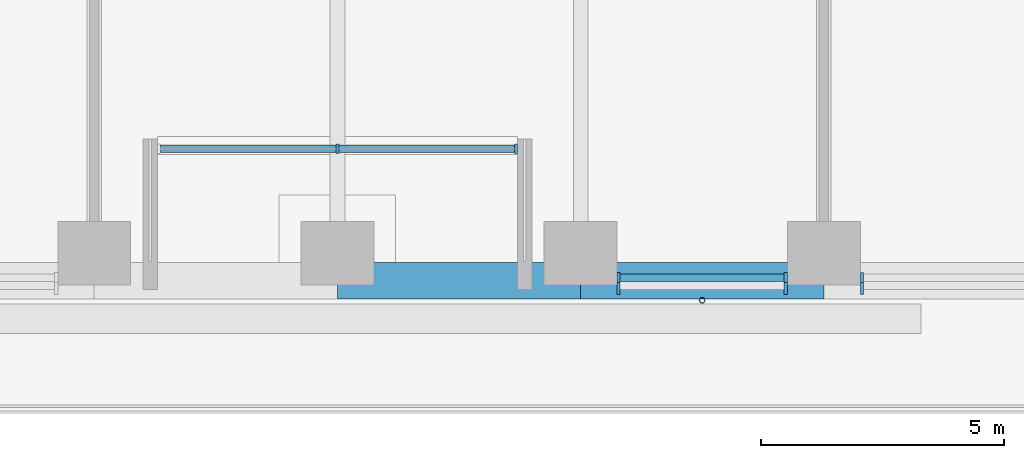
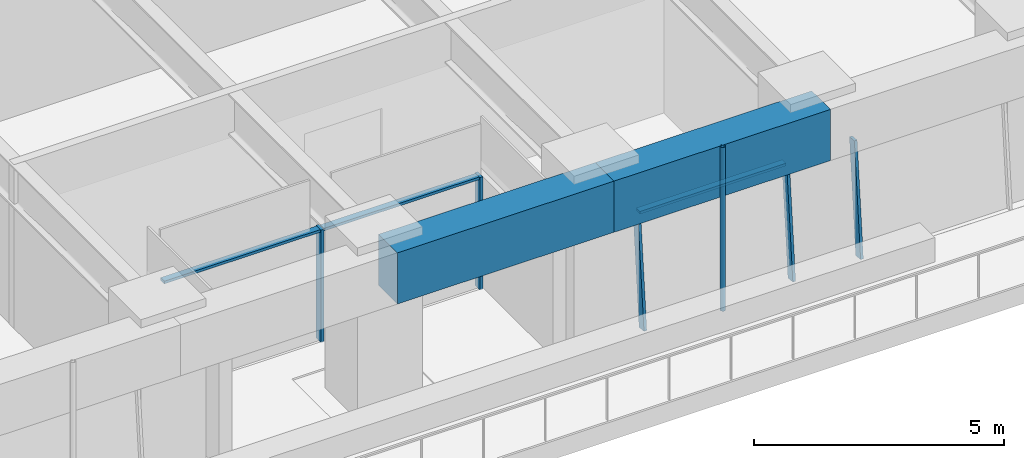
# One storey, part 4 of 24: 8 members, 2 beams, 3 elements without a shape of their own.
"""IFC4 building model written with IfcOpenShell, lengths in metres."""

import ifcopenshell
import ifcopenshell.guid

model = None  # the IFC model being written
_history = None  # IfcOwnerHistory: only IFC2X3 demands one
_inside = {}  # id of a spatial element -> (the spatial element, [elements in it])
_under = {}  # id of a project, library or spatial element -> (it, [spatial elements below it])
_declared = {}  # id of a project -> (the project, [libraries it declares])
_typed = {}  # id of a type object -> (the type object, [elements of that type])
_made_of = {}  # id of a material, layer set ... -> (it, [elements and type objects made of it])


def new_model(schema):
    """Start an empty IFC model of exactly this schema.

    Asked for "IFC4X3", IfcOpenShell would pick the latest addendum, in which some entities
    have other attributes; the version numbers below select the first issue.
    IFC2X3 requires an IfcOwnerHistory on every rooted entity: one is made here for all.
    """
    global model, _history
    if schema == "IFC4X3":
        model = ifcopenshell.file(schema_version=(4, 3, 0, 0))
    else:
        model = ifcopenshell.file(schema=schema)
    _inside.clear()
    _under.clear()
    _declared.clear()
    _typed.clear()
    _made_of.clear()
    _history = None
    if model.schema == "IFC2X3":
        org = make("IfcOrganization", Name="unknown")
        user = make(
            "IfcPersonAndOrganization",
            ThePerson=make("IfcPerson", FamilyName="unknown"),
            TheOrganization=org,
        )
        app = make(
            "IfcApplication",
            ApplicationDeveloper=org,
            Version="unknown",
            ApplicationFullName="unknown",
            ApplicationIdentifier="unknown",
        )
        _history = make(
            "IfcOwnerHistory",
            OwningUser=user,
            OwningApplication=app,
            ChangeAction="ADDED",
            CreationDate=0,
        )
    return model


def make(cls, **values):
    """One entity of the class cls with the attributes given. An attribute that is None is left unset."""
    return model.create_entity(
        cls, **{name: value for name, value in values.items() if value is not None}
    )


def rooted(cls, **values):
    """An entity with a GlobalId (a new one), such as an element, a storey or a relation."""
    return make(cls, GlobalId=ifcopenshell.guid.new(), OwnerHistory=_history, **values)


def si_unit(unit_type, name, prefix=None):
    """IfcSIUnit, for example si_unit("LENGTHUNIT", "METRE", prefix="MILLI")."""
    return make("IfcSIUnit", UnitType=unit_type, Prefix=prefix, Name=name)


def assignment(units):
    """IfcUnitAssignment: the units of a project."""
    return None if units is None else make("IfcUnitAssignment", Units=units)


def point(xyz):
    """IfcCartesianPoint."""
    return None if xyz is None else make("IfcCartesianPoint", Coordinates=xyz)


def direction(xyz):
    """IfcDirection."""
    return None if xyz is None else make("IfcDirection", DirectionRatios=xyz)


def frame(location, z_axis=None, x_axis=None):
    """IfcAxis2Placement3D, a coordinate frame: its origin and axes. An axis left out is left unset."""
    return make(
        "IfcAxis2Placement3D",
        Location=point(location),
        Axis=direction(z_axis),
        RefDirection=direction(x_axis),
    )


def frame_2d(location, x_axis=None):
    """IfcAxis2Placement2D, a coordinate frame in the plane: its origin and x axis."""
    return make(
        "IfcAxis2Placement2D", Location=point(location), RefDirection=direction(x_axis)
    )


def origin():
    """The frame at (0, 0, 0) with its axes left unset."""
    return frame((0.0, 0.0, 0.0))


def origin_2d():
    """The frame at (0, 0) in the plane with its x axis left unset."""
    return frame_2d((0.0, 0.0))


def place(relative_to, where):
    """IfcLocalPlacement: puts the frame where relative to a parent placement (None: the world)."""
    return make(
        "IfcLocalPlacement", PlacementRelTo=relative_to, RelativePlacement=where
    )


def context(
    kind, dimensions, precision=None, world=None, true_north=None, identifier=None
):
    """IfcGeometricRepresentationContext, for example the 3D "Model" context."""
    return make(
        "IfcGeometricRepresentationContext",
        ContextIdentifier=identifier,
        ContextType=kind,
        CoordinateSpaceDimension=dimensions,
        Precision=precision,
        WorldCoordinateSystem=world,
        TrueNorth=true_north,
    )


def subcontext(parent, identifier, kind, view, scale=None):
    """IfcGeometricRepresentationSubContext, for example "Body" below "Model"."""
    return make(
        "IfcGeometricRepresentationSubContext",
        ContextIdentifier=identifier,
        ContextType=kind,
        ParentContext=parent,
        TargetScale=scale,
        TargetView=view,
    )


def project(units=None, contexts=None):
    """IfcProject with its units and contexts."""
    return rooted(
        "IfcProject",
        Name="project",
        RepresentationContexts=contexts,
        UnitsInContext=assignment(units),
    )


def spatial(cls, under=None, at=None, **own):
    """A site, building, storey or space (cls), placed at a placement, below another one or the project."""
    s = rooted(cls, ObjectPlacement=at, **own)
    if under is not None:
        _under.setdefault(under.id(), (under, []))[1].append(s)
    return s


def profile(cls, at=None, kind="AREA", **sizes):
    """A parametric profile (cls). Its sizes go by their IFC names, for example OverallWidth=200.0."""
    return make(cls, ProfileType=kind, Position=at, **sizes)


def rectangle(**sizes):
    """IfcRectangleProfileDef."""
    return profile("IfcRectangleProfileDef", **sizes)


def hollow_circle(**sizes):
    """IfcCircleHollowProfileDef."""
    return profile("IfcCircleHollowProfileDef", **sizes)


def extrude(swept, where, along, depth):
    """IfcExtrudedAreaSolid: the profile swept, set in the frame where, extruded along a direction by depth."""
    return make(
        "IfcExtrudedAreaSolid",
        SweptArea=swept,
        Position=where,
        ExtrudedDirection=direction(along),
        Depth=depth,
    )


def shape(context_of_items, identifier, shape_type, items):
    """IfcShapeRepresentation: the items that make up one representation, for example the "Body"."""
    return make(
        "IfcShapeRepresentation",
        ContextOfItems=context_of_items,
        RepresentationIdentifier=identifier,
        RepresentationType=shape_type,
        Items=items,
    )


def material(Name=None, Category=None):
    """IfcMaterial."""
    return make("IfcMaterial", Name=Name, Category=Category)


def material_profile(
    of_material, cross_section, Name=None, Category=None, Priority=None
):
    """IfcMaterialProfile: a cross section and its material."""
    return make(
        "IfcMaterialProfile",
        Name=Name,
        Material=of_material,
        Profile=cross_section,
        Priority=Priority,
        Category=Category,
    )


def profile_set(profiles, Name=None, composite=None):
    """IfcMaterialProfileSet."""
    return make(
        "IfcMaterialProfileSet",
        Name=Name,
        MaterialProfiles=profiles,
        CompositeProfile=composite,
    )


def made_of(thing, what):
    """Note that an element or type object is made of a material, layer set ...; save() writes the relation."""
    if what is not None:
        _made_of.setdefault(what.id(), (what, []))[1].append(thing)
    return thing


def type_object(cls, material=None, **own):
    """A type object (cls), such as IfcWallType, which elements share."""
    return made_of(rooted(cls, **own), material)


def element(
    cls,
    number,
    at=None,
    inside=None,
    cuts=None,
    type_object=None,
    material=None,
    context=None,
    identifier="Body",
    shape_type=None,
    held_by="IfcProductDefinitionShape",
    body=None,
    shapes=None,
    **own,
):
    """One element of the class cls, such as IfcWall. Its Tag is "e" and its number.

    at: its placement. inside: the storey or other place that contains it. cuts: it is an
    opening in that element (IfcRelVoidsElement). A single representation is given by context,
    identifier, shape_type and body (its items); several are given by shapes. held_by: the class
    of the entity that holds the representations. save() writes the other relations.
    """
    e = rooted(cls, Tag="e%d" % number, ObjectPlacement=at, **own)
    if body is not None:
        shapes = [shape(context, identifier, shape_type, body)]
    if shapes is not None:
        e.Representation = make(held_by, Representations=shapes)
    if inside is not None:
        _inside.setdefault(inside.id(), (inside, []))[1].append(e)
    if cuts is not None:
        rooted(
            "IfcRelVoidsElement", RelatingBuildingElement=cuts, RelatedOpeningElement=e
        )
    if type_object is not None:
        _typed.setdefault(type_object.id(), (type_object, []))[1].append(e)
    return made_of(e, material)


def aggregate(whole, parts):
    """IfcRelAggregates: a whole, such as a stair, and the parts it consists of."""
    return rooted("IfcRelAggregates", RelatingObject=whole, RelatedObjects=parts)


def save(model, path):
    """Write the relations noted so far, then the file.

    IfcRelAggregates (storeys below a building ...), IfcRelContainedInSpatialStructure (elements
    in a storey), IfcRelDefinesByType, IfcRelAssociatesMaterial and IfcRelDeclares: one each for
    every whole, place, type object, material and project.
    """
    for whole, parts in _under.values():
        aggregate(whole, parts)
    for where, things in _inside.values():
        rooted(
            "IfcRelContainedInSpatialStructure",
            RelatedElements=things,
            RelatingStructure=where,
        )
    for kind, things in _typed.values():
        rooted("IfcRelDefinesByType", RelatedObjects=things, RelatingType=kind)
    for what, things in _made_of.values():
        rooted("IfcRelAssociatesMaterial", RelatedObjects=things, RelatingMaterial=what)
    for by, libraries in _declared.values():
        rooted("IfcRelDeclares", RelatingContext=by, RelatedDefinitions=libraries)
    model.write(path)


model = new_model("IFC4")

# Units and contexts
model_context = context("Model", 3, precision=1e-05, world=origin(), true_north=direction((0.0, 1.0)))
body_context = subcontext(model_context, "Body", "Model", "MODEL_VIEW")
ifc_project = project(units=[si_unit("LENGTHUNIT", "METRE"), si_unit("AREAUNIT", "SQUARE_METRE"), si_unit("VOLUMEUNIT", "CUBIC_METRE"), si_unit("PLANEANGLEUNIT", "RADIAN"), si_unit("MASSUNIT", "GRAM", prefix="KILO")], contexts=[model_context])

# Site, building, storey
site_placement = place(None, origin())
site = spatial("IfcSite", under=ifc_project, at=site_placement, CompositionType="ELEMENT")
building_placement = place(site_placement, origin())
building = spatial("IfcBuilding", under=site, at=building_placement, Name="Tarfa Lantern Tower", CompositionType="ELEMENT")
storey_placement = place(building_placement, frame((0.0, 0.0, 182.5)))
storey = spatial("IfcBuildingStorey", under=building, at=storey_placement, Name="L41", CompositionType="ELEMENT", Elevation=182.5)

# Curtain wall, members
ifc_material_1 = material(Name="Aluminium framed curtain wall", Category="aluminium")
curtain_wall_type_1 = type_object("IfcCurtainWallType", Name="CW2 CANTED GLAZING MID ZONE 2750", PredefinedType="USERDEFINED", material=ifc_material_1)
curtain_wall_1_placement = place(storey_placement, origin())
curtain_wall_1 = element("IfcCurtainWall", 1, at=curtain_wall_1_placement, inside=storey, type_object=curtain_wall_type_1, Name="CW2 SB L41", ObjectType="CURTAIN WALL", PredefinedType="USERDEFINED")
ifc_material_2 = material(Name="Aluminium mullion", Category="aluminium")
ifc_material_profile_1 = material_profile(ifc_material_2, rectangle(XDim=0.06494140625, YDim=0.199951171875, at=origin_2d()), Name="AL MULLION 65x200")
ifc_profile_set_1 = profile_set([ifc_material_profile_1], Name="Aluminium mullion")
member_type_1 = type_object("IfcMemberType", Name="CWM1 MULLION 65x200", PredefinedType="MULLION", material=ifc_profile_set_1)
member_1_placement = place(storey_placement, frame((5.7861328125, -31.39990234375, 0.0), z_axis=(0.0, 0.090535746043, 0.995893206468), x_axis=(-1.0, 0.0, 0.0)))
member_1 = element("IfcMember", 2, at=member_1_placement, type_object=member_type_1, Name="CW2 mullion 1", PredefinedType="MULLION", context=body_context, shape_type="SweptSolid", body=[
    extrude(rectangle(XDim=0.06494140625, YDim=0.199951171875, at=origin_2d()), origin(), (0.0, 0.0, 1.0), 2.76123046875),
])
member_2_placement = place(storey_placement, frame((9.224853515625, -31.39990234375, 0.0), z_axis=(0.0, 0.090535746043, 0.995893206468), x_axis=(-1.0, 0.0, 0.0)))
member_2 = element("IfcMember", 3, at=member_2_placement, type_object=member_type_1, Name="CW2 mullion 2", PredefinedType="MULLION", context=body_context, shape_type="SweptSolid", body=[
    extrude(rectangle(XDim=0.06494140625, YDim=0.199951171875, at=origin_2d()), origin(), (0.0, 0.0, 1.0), 2.76123046875),
])

# Curtain wall, member
curtain_wall_2_placement = place(storey_placement, origin())
curtain_wall_2 = element("IfcCurtainWall", 4, at=curtain_wall_2_placement, inside=storey, type_object=curtain_wall_type_1, Name="CW2 SB L41", ObjectType="CURTAIN WALL", PredefinedType="USERDEFINED")
member_3_placement = place(storey_placement, frame((10.789794921875, -31.39990234375, 0.0), z_axis=(0.0, 0.090535746043, 0.995893206468), x_axis=(-1.0, 0.0, 0.0)))
member_3 = element("IfcMember", 5, at=member_3_placement, type_object=member_type_1, Name="CW2 mullion 1", PredefinedType="MULLION", context=body_context, shape_type="SweptSolid", body=[
    extrude(rectangle(XDim=0.06494140625, YDim=0.199951171875, at=origin_2d()), origin(), (0.0, 0.0, 1.0), 2.76123046875),
])
aggregate(curtain_wall_2, [member_3])

# Curtain wall, members
curtain_wall_type_2 = type_object("IfcCurtainWallType", Name="CW10 LOGGIA GLAZING 2750", PredefinedType="USERDEFINED", material=ifc_material_1)
curtain_wall_3_placement = place(storey_placement, origin())
curtain_wall_3 = element("IfcCurtainWall", 6, at=curtain_wall_3_placement, inside=storey, type_object=curtain_wall_type_2, Name="CW10 SL L41", ObjectType="CURTAIN WALL", PredefinedType="USERDEFINED")
member_4_placement = place(storey_placement, frame((0.0, -28.5, 0.0), z_axis=(0.0, 0.0, 1.0), x_axis=(1.0, 0.0, 0.0)))
member_4 = element("IfcMember", 7, at=member_4_placement, type_object=member_type_1, Name="CW10 mullion 2", PredefinedType="MULLION", context=body_context, shape_type="SweptSolid", body=[
    extrude(rectangle(XDim=0.06494140625, YDim=0.199951171875, at=origin_2d()), origin(), (0.0, 0.0, 1.0), 2.75),
])
member_5_placement = place(storey_placement, frame((3.671142578125, -28.5, 0.0), z_axis=(0.0, 0.0, 1.0), x_axis=(1.0, 0.0, 0.0)))
member_5 = element("IfcMember", 8, at=member_5_placement, type_object=member_type_1, Name="CW10 mullion 3", PredefinedType="MULLION", context=body_context, shape_type="SweptSolid", body=[
    extrude(rectangle(XDim=0.06494140625, YDim=0.199951171875, at=origin_2d()), origin(), (0.0, 0.0, 1.0), 2.75),
])

# Member
ifc_material_3 = material(Name="Aluminium transom", Category="aluminium")
ifc_material_profile_2 = material_profile(ifc_material_3, rectangle(XDim=0.14990234375, YDim=0.06494140625, at=origin_2d()), Name="AL TRANSOM 150x65")
ifc_profile_set_2 = profile_set([ifc_material_profile_2], Name="Aluminium transom")
member_type_2 = type_object("IfcMemberType", Name="CWT1 TRANSOM 150x65", PredefinedType="USERDEFINED", material=ifc_profile_set_2)
member_6_placement = place(storey_placement, frame((5.818603515625, -31.153076171875, 2.717529296875), z_axis=(1.0, 0.0, 0.0), x_axis=(0.0, 1.0, 0.0)))
member_6 = element("IfcMember", 9, at=member_6_placement, type_object=member_type_2, Name="CW2 transom 1.2", ObjectType="TRANSOM", PredefinedType="USERDEFINED", context=body_context, shape_type="SweptSolid", body=[
    extrude(rectangle(XDim=0.14990234375, YDim=0.06494140625, at=origin_2d()), origin(), (0.0, 0.0, 1.0), 3.373779296875),
])

aggregate(curtain_wall_1, [member_1, member_2, member_6])

member_7_placement = place(storey_placement, frame((-3.638671875, -28.5, 2.717529296875), z_axis=(1.0, 0.0, 0.0), x_axis=(0.0, 1.0, 0.0)))
member_7 = element("IfcMember", 10, at=member_7_placement, type_object=member_type_2, Name="CW10 transom 1.2", ObjectType="TRANSOM", PredefinedType="USERDEFINED", context=body_context, shape_type="SweptSolid", body=[
    extrude(rectangle(XDim=0.14990234375, YDim=0.06494140625, at=origin_2d()), origin(), (0.0, 0.0, 1.0), 7.27734375),
])

aggregate(curtain_wall_3, [member_4, member_5, member_7])

# Beams
ifc_material_4 = material(Name="Concrete C80/95", Category="concrete")
ifc_material_profile_3 = material_profile(ifc_material_4, rectangle(XDim=0.75, YDim=1.25, at=origin_2d()), Name="RC 750x1250")
ifc_profile_set_3 = profile_set([ifc_material_profile_3], Name="Concrete C80/95")
beam_type = type_object("IfcBeamType", Name="EB2 RC 750x1250", PredefinedType="SPANDREL", material=ifc_profile_set_3)
for number, where, z_axis, x_axis, name in (
    (11, (0.0, -31.219970703125, 3.375), (1.0, 0.0, 0.0), (0.0, 1.0, 0.0), "Edge beam S3"),
    (12, (5.003662109375, -31.219970703125, 3.375), (1.0, 0.0, 0.0), (0.0, 1.0, 0.0), "Edge beam S4"),
):
    element("IfcBeam", number, at=place(storey_placement, frame(where, z_axis=z_axis, x_axis=x_axis)), inside=storey, type_object=beam_type, Name=name, PredefinedType="SPANDREL", context=body_context, shape_type="SweptSolid", body=[
        extrude(rectangle(XDim=0.75, YDim=1.25, at=origin_2d()), origin(), (0.0, 0.0, 1.0), 5.003662109375),
    ])

# Member
ifc_material_5 = material(Name="Steel S355", Category="steel")
ifc_material_profile_4 = material_profile(ifc_material_5, hollow_circle(Radius=0.05712890625, WallThickness=0.00634765625, at=origin_2d()), Name="CHS114.3x6.3")
ifc_profile_set_4 = profile_set([ifc_material_profile_4], Name="Steel S355")
member_type_3 = type_object("IfcMemberType", Name="TR1 GREEN WALL TRELLIS CHS114.3x6.3", PredefinedType="USERDEFINED", material=ifc_profile_set_4)
member_8_placement = place(storey_placement, frame((7.505615234375, -31.6201171875, 0.0), z_axis=(0.0, 0.0, 1.0), x_axis=(1.0, 0.0, 0.0)))
element("IfcMember", 13, at=member_8_placement, inside=storey, type_object=member_type_3, Name="Trellis post S 2", ObjectType="TRELLIS", PredefinedType="USERDEFINED", context=body_context, shape_type="SweptSolid", body=[
    extrude(hollow_circle(Radius=0.05712890625, WallThickness=0.00634765625, at=origin_2d()), origin(), (0.0, 0.0, 1.0), 4.0),
])

save(model, "model.ifc")
